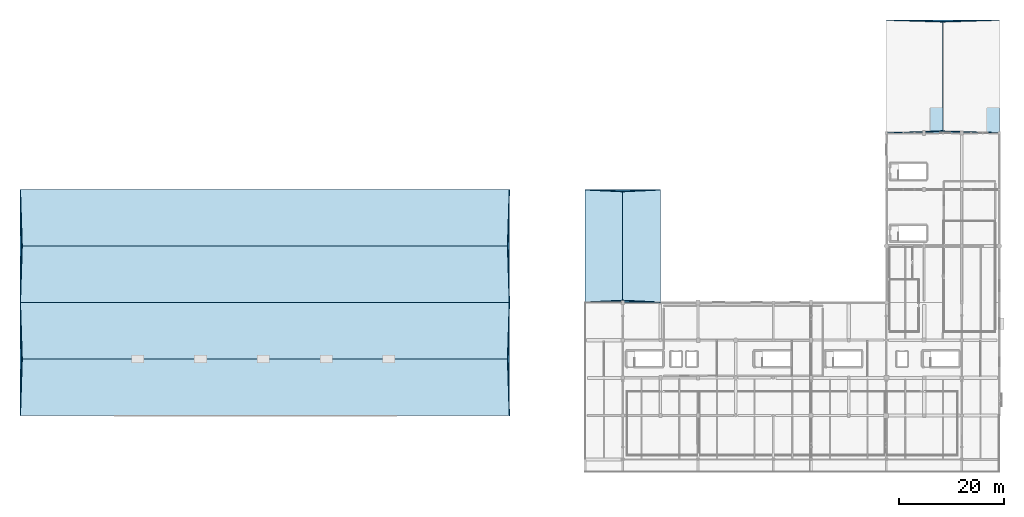
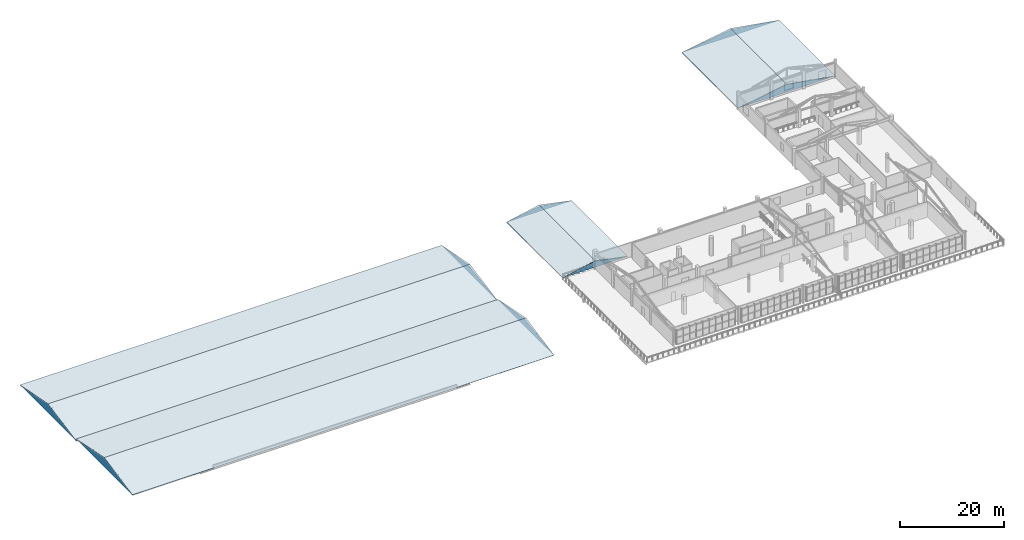
# One storey, part 37 of 41: 16 roofs.
"""IFC4 building model written with IfcOpenShell, lengths in metres."""

from ifc_helpers import new_model, si_unit, direction, frame, origin, place, context, subcontext, project, spatial, polyline, outline, extrude, material, type_object, element, save


model = new_model("IFC4")

# Units and contexts
model_context = context("Model", 3, precision=1e-05, world=origin(), true_north=direction((0.0, 1.0)))
body_context = subcontext(model_context, "Body", "Model", "MODEL_VIEW")
ifc_project = project(units=[si_unit("LENGTHUNIT", "METRE"), si_unit("AREAUNIT", "SQUARE_METRE"), si_unit("VOLUMEUNIT", "CUBIC_METRE"), si_unit("PLANEANGLEUNIT", "RADIAN"), si_unit("MASSUNIT", "GRAM", prefix="KILO")], contexts=[model_context])

# Site, building, storey
site_placement = place(None, origin())
site = spatial("IfcSite", under=ifc_project, at=site_placement, CompositionType="ELEMENT")
building_placement = place(site_placement, origin())
building = spatial("IfcBuilding", under=site, at=building_placement, Name="Solanera Park Tramway Depot", CompositionType="ELEMENT")
storey_placement = place(building_placement, frame((0.0, 0.0, 13.199951171875)))
storey = spatial("IfcBuildingStorey", under=building, at=storey_placement, Name="L03", CompositionType="ELEMENT", Elevation=13.199951171875)

# Roofs
ifc_material = material(Name="Mission terracotta clay barrel tile roofing", Category="masonry")
roof_type = type_object("IfcRoofType", Name="Spanish Colonial Terracotta Hip Roof Assembly", PredefinedType="HIP_ROOF", material=ifc_material)
roof_1_placement = place(storey_placement, frame((0.0, 10.800048828125, 0.23779296875), z_axis=(0.0, -0.199110119919, 0.979977122256), x_axis=(1.0, 0.0, 0.0)))
element("IfcRoof", 1, at=roof_1_placement, inside=storey, type_object=roof_type, Name="Terracotta Pitched Roof V2-HI.1", PredefinedType="HIP_ROOF", context=body_context, shape_type="SweptSolid", body=[
    extrude(outline(polyline([(0.0, 0.0), (93.60009765625, 0.0), (93.60009765625, 11.02071526247222), (0.0, 11.02071526247222), (0.0, 0.0)])), origin(), (0.0, 0.0, -1.0), 0.050048828125),
])
roof_2_placement = place(storey_placement, frame((0.0, 21.60009765625, 2.43212890625), z_axis=(0.0, 0.199114442556, 0.97997624398), x_axis=(1.0, 0.0, 0.0)))
element("IfcRoof", 2, at=roof_2_placement, inside=storey, type_object=roof_type, Name="Terracotta Pitched Roof V2-HI.2", PredefinedType="HIP_ROOF", context=body_context, shape_type="SweptSolid", body=[
    extrude(outline(polyline([(0.0, 0.0), (93.60009765625, 0.0), (93.60009765625, 11.02047601035232), (0.0, 11.02047601035232), (0.0, 0.0)])), origin(), (0.0, 0.0, -1.0), 0.050048828125),
])
roof_3_placement = place(storey_placement, frame((0.0, 32.39990234375, 0.23779296875), z_axis=(-0.98751046796, 0.0, 0.157553405769), x_axis=(0.0, -1.0, 0.0)))
element("IfcRoof", 3, at=roof_3_placement, inside=storey, type_object=roof_type, Name="Terracotta Hip Gable End V2-HI.E1", PredefinedType="HIP_ROOF", context=body_context, shape_type="SweptSolid", body=[
    extrude(outline(polyline([(0.0, 0.0), (21.599853515625, 0.0), (10.7998046875, 2.2220887865960144), (0.0, 0.0)])), origin(), (0.0, 0.0, -1.0), 0.050048828125),
])
roof_4_placement = place(storey_placement, frame((93.60009765625, 10.800048828125, 0.23779296875), z_axis=(0.98751046796, 0.0, 0.157553405769), x_axis=(0.0, 1.0, 0.0)))
element("IfcRoof", 4, at=roof_4_placement, inside=storey, type_object=roof_type, Name="Terracotta Hip Gable End V2-HI.E2", PredefinedType="HIP_ROOF", context=body_context, shape_type="SweptSolid", body=[
    extrude(outline(polyline([(0.0, 0.0), (21.599853515625, 0.0), (10.800048828125, 2.2220887865960144), (0.0, 0.0)])), origin(), (0.0, 0.0, -1.0), 0.050048828125),
])
for number, where, z_axis, x_axis, name in (
    (5, (0.0, 32.39990234375, -0.16259765625), (0.0, -0.190406923383, 0.981705252878), (1.0, 0.0, 0.0), "Terracotta Pitched Roof V2-CR.1"),
    (6, (0.0, 43.199951171875, 1.93212890625), (0.0, 0.190406923383, 0.981705252878), (1.0, 0.0, 0.0), "Terracotta Pitched Roof V2-CR.2"),
):
    element("IfcRoof", number, at=place(storey_placement, frame(where, z_axis=z_axis, x_axis=x_axis)), inside=storey, type_object=roof_type, Name=name, PredefinedType="HIP_ROOF", context=body_context, shape_type="SweptSolid", body=[
        extrude(outline(polyline([(0.0, 0.0), (93.60009765625, 0.0), (93.60009765625, 11.001315106001066), (0.0, 11.001315106001066), (0.0, 0.0)])), origin(), (0.0, 0.0, -1.0), 0.050048828125),
    ])
for number, where, z_axis, x_axis, name in (
    (7, (0.0, 54.0, -0.16259765625), (-0.98631925656, 0.0, 0.164846365257), (0.0, -1.0, 0.0), "Terracotta Hip Gable End V2-CR.E1"),
    (8, (93.60009765625, 32.39990234375, -0.16259765625), (0.98631925656, 0.0, 0.164846365257), (0.0, 1.0, 0.0), "Terracotta Hip Gable End V2-CR.E2"),
):
    element("IfcRoof", number, at=place(storey_placement, frame(where, z_axis=z_axis, x_axis=x_axis)), inside=storey, type_object=roof_type, Name=name, PredefinedType="HIP_ROOF", context=body_context, shape_type="SweptSolid", body=[
        extrude(outline(polyline([(0.0, 0.0), (21.60009765625, 0.0), (10.800048828125, 2.123781471939806), (0.0, 0.0)])), origin(), (0.0, 0.0, -1.0), 0.050048828125),
    ])
for number, where, z_axis, x_axis, name in (
    (9, (108.0, 32.39990234375, 0.238037109375), (-0.203160002607, 0.0, 0.979145552684), (0.979145552684, 0.0, 0.203160002607), "Terracotta Pitched Roof V4W-RF.1"),
    (10, (115.199951171875, 32.39990234375, 1.73193359375), (0.203160002607, 0.0, 0.979145552684), (0.979145552684, 0.0, -0.203160002607), "Terracotta Pitched Roof V4W-RF.2"),
):
    element("IfcRoof", number, at=place(storey_placement, frame(where, z_axis=z_axis, x_axis=x_axis)), inside=storey, type_object=roof_type, Name=name, PredefinedType="HIP_ROOF", context=body_context, shape_type="SweptSolid", body=[
        extrude(outline(polyline([(0.0, 0.0), (7.353300183143087, 0.0), (7.353300183143087, 21.60009765625), (0.0, 21.60009765625), (0.0, 0.0)])), origin(), (0.0, 0.0, -1.0), 0.050048828125),
    ])
for number, where, z_axis, x_axis, name in (
    (11, (108.0, 32.39990234375, 0.238037109375), (0.0, -0.973621281512, 0.228170112386), (1.0, 0.0, 0.0), "Terracotta Hip Gable End V4W-RF.E1"),
    (12, (122.39990234375, 54.0, 0.238037109375), (0.0, 0.973621281512, 0.228170112386), (-1.0, 0.0, 0.0), "Terracotta Hip Gable End V4W-RF.E2"),
):
    element("IfcRoof", number, at=place(storey_placement, frame(where, z_axis=z_axis, x_axis=x_axis)), inside=storey, type_object=roof_type, Name=name, PredefinedType="HIP_ROOF", context=body_context, shape_type="SweptSolid", body=[
        extrude(outline(polyline([(0.0, 0.0), (14.39990234375, 0.0), (7.199951171875, 1.5343712311366269), (0.0, 0.0)])), origin(), (0.0, 0.0, -1.0), 0.050048828125),
    ])
roof_5_placement = place(storey_placement, frame((165.60009765625, 64.800048828125, 0.236572265625), z_axis=(-0.168437462549, 0.0, 0.98571234202), x_axis=(0.98571234202, 0.0, 0.168437462549)))
element("IfcRoof", 13, at=roof_5_placement, inside=storey, type_object=roof_type, Name="Terracotta Pitched Roof V4L2E.1", PredefinedType="HIP_ROOF", context=body_context, shape_type="SweptSolid", body=[
    extrude(outline(polyline([(0.0, 0.0), (10.956345200437843, 0.0), (10.956345200437843, 21.599853515625), (0.0, 21.599853515625), (0.0, 0.0)])), origin(), (0.0, 0.0, -1.0), 0.050048828125),
])
roof_6_placement = place(storey_placement, frame((176.39990234375, 64.800048828125, 2.08203125), z_axis=(0.168433762957, 0.0, 0.985712974195), x_axis=(0.985712974195, 0.0, -0.168433762957)))
element("IfcRoof", 14, at=roof_6_placement, inside=storey, type_object=roof_type, Name="Terracotta Pitched Roof V4L2E.2", PredefinedType="HIP_ROOF", context=body_context, shape_type="SweptSolid", body=[
    extrude(outline(polyline([(0.0, 0.0), (10.956585852942265, 0.0), (10.956585852942265, 21.599853515625), (0.0, 21.599853515625), (0.0, 0.0)])), origin(), (0.0, 0.0, -1.0), 0.050048828125),
])
roof_7_placement = place(storey_placement, frame((165.60009765625, 64.800048828125, 0.236572265625), z_axis=(0.0, -0.982500880468, 0.186257939107), x_axis=(1.0, 0.0, 0.0)))
element("IfcRoof", 15, at=roof_7_placement, inside=storey, type_object=roof_type, Name="Terracotta Hip Gable End V4L2E.E1", PredefinedType="HIP_ROOF", context=body_context, shape_type="SweptSolid", body=[
    extrude(outline(polyline([(0.0, 0.0), (21.599853515625, 0.0), (10.7998046875, 1.878328071824935), (0.0, 0.0)])), origin(), (0.0, 0.0, -1.0), 0.050048828125),
])
roof_8_placement = place(storey_placement, frame((187.199951171875, 86.39990234375, 0.236572265625), z_axis=(0.0, 0.982500880468, 0.186257939107), x_axis=(-1.0, 0.0, 0.0)))
element("IfcRoof", 16, at=roof_8_placement, inside=storey, type_object=roof_type, Name="Terracotta Hip Gable End V4L2E.E2", PredefinedType="HIP_ROOF", context=body_context, shape_type="SweptSolid", body=[
    extrude(outline(polyline([(0.0, 0.0), (21.599853515625, 0.0), (10.800048828125, 1.878328071824935), (0.0, 0.0)])), origin(), (0.0, 0.0, -1.0), 0.050048828125),
])

save(model, "model.ifc")
